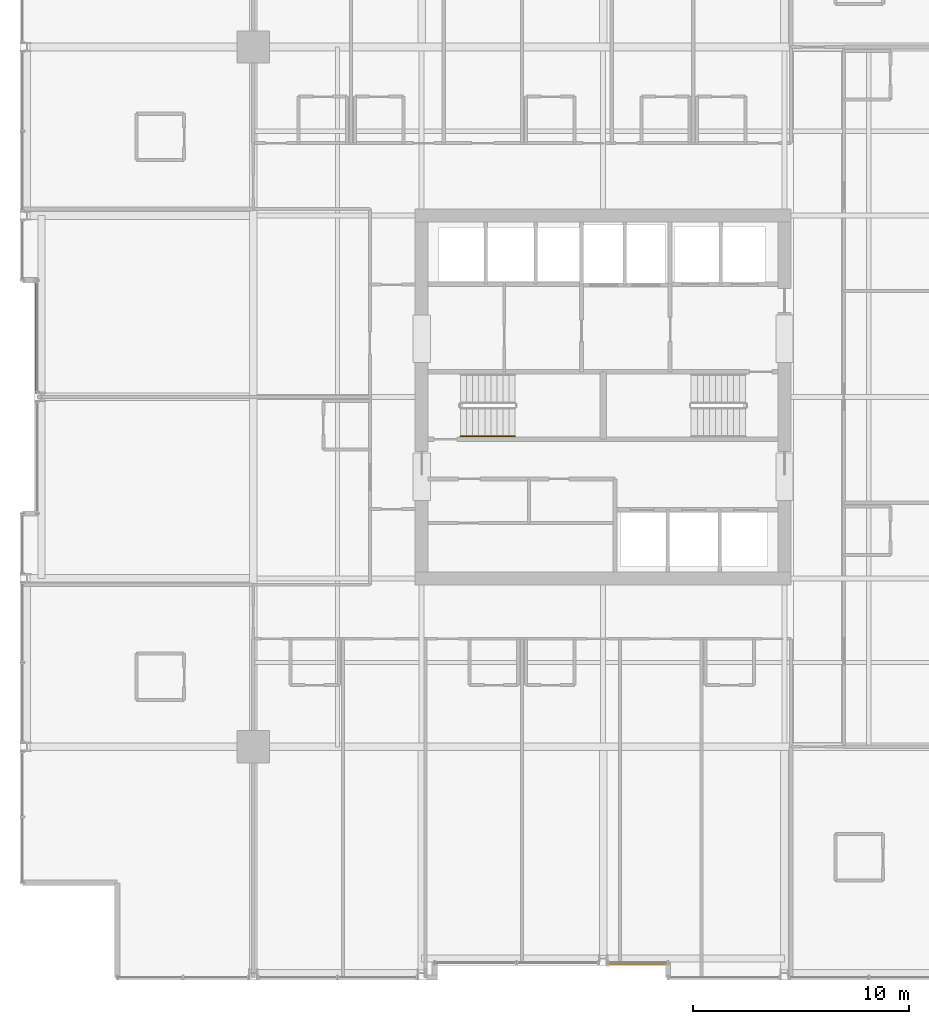
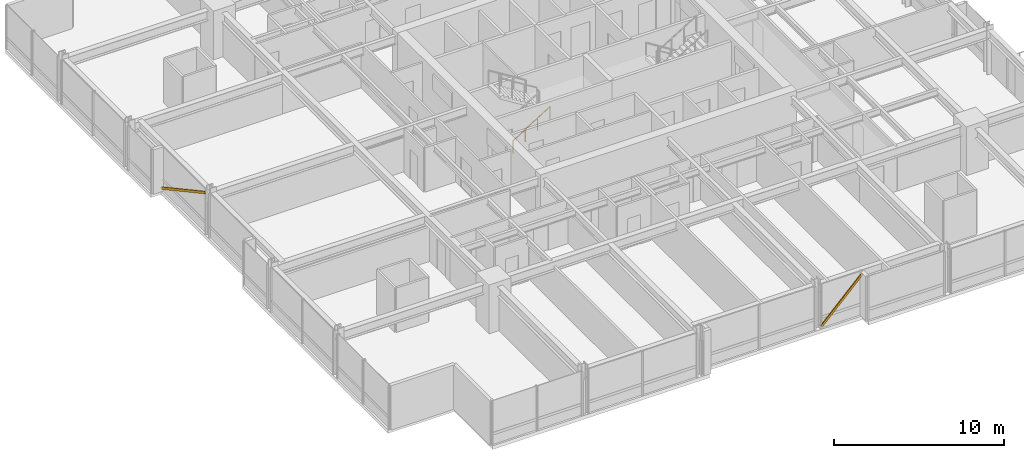
# One storey, part 33 of 35: 2 shading devices, 1 railing.
"""IFC4 building model written with IfcOpenShell, lengths in metres."""

from ifc_helpers import new_model, si_unit, direction, frame, origin, origin_2d, place, context, subcontext, project, spatial, hollow_rectangle, circle, extrude, material, material_profile, profile_set, type_object, element, save


model = new_model("IFC4")

# Units and contexts
model_context = context("Model", 3, precision=1e-05, world=origin(), true_north=direction((0.0, 1.0)))
body_context = subcontext(model_context, "Body", "Model", "MODEL_VIEW")
ifc_project = project(units=[si_unit("LENGTHUNIT", "METRE"), si_unit("AREAUNIT", "SQUARE_METRE"), si_unit("VOLUMEUNIT", "CUBIC_METRE"), si_unit("PLANEANGLEUNIT", "RADIAN"), si_unit("MASSUNIT", "GRAM", prefix="KILO")], contexts=[model_context])

# Site, building, storey
site_placement = place(None, origin())
site = spatial("IfcSite", under=ifc_project, at=site_placement, CompositionType="ELEMENT")
building_placement = place(site_placement, origin())
building = spatial("IfcBuilding", under=site, at=building_placement, Name="Drelvath Grand Hotel", CompositionType="ELEMENT")
storey_placement = place(building_placement, frame((0.0, 0.0, 137.300048828125)))
storey = spatial("IfcBuildingStorey", under=building, at=storey_placement, Name="L35", CompositionType="ELEMENT", Elevation=137.300048828125)

# Railing
ifc_material_1 = material(Name="Painted Steel S275", Category="steel")
railing_type = type_object("IfcRailingType", Name="Core Stair Wall Handrail 900", PredefinedType="HANDRAIL", material=ifc_material_1)
railing_placement = place(storey_placement, frame((-6.60009765625, 25.169921875, 0.175048828125)))
element("IfcRailing", 1, at=railing_placement, inside=storey, type_object=railing_type, Name="L35 ST-1 stair handrail 1", PredefinedType="HANDRAIL", context=body_context, shape_type="SweptSolid", body=[
    extrude(circle(Radius=0.02392578125, at=origin_2d()), frame((0.0, 0.0, 0.8759765625), z_axis=(0.848007534815, 0.0, 0.529984170421), x_axis=(0.0, 1.0, 0.0)), (0.0, 0.0, 1.0), 2.9716796875),
    extrude(circle(Radius=0.02099609375, at=origin_2d()), origin(), (0.0, 0.0, 1.0), 0.851806640625),
    extrude(circle(Radius=0.02099609375, at=origin_2d()), frame((0.840087890625, 0.0, 0.52490234375)), (0.0, 0.0, 1.0), 0.851806640625),
    extrude(circle(Radius=0.02099609375, at=origin_2d()), frame((1.679931640625, 0.0, 1.050048828125)), (0.0, 0.0, 1.0), 0.851806640625),
    extrude(circle(Radius=0.02099609375, at=origin_2d()), frame((2.52001953125, 0.0, 1.574951171875)), (0.0, 0.0, 1.0), 0.851806640625),
])

# Shading devices
ifc_material_2 = material(Name="Champagne Bronze Anodised Aluminium", Category="aluminium")
ifc_material_profile = material_profile(ifc_material_2, hollow_rectangle(XDim=0.06494140625, YDim=0.159912109375, WallThickness=0.00390625, at=origin_2d()), Name="HSS160X65X4")
ifc_profile_set = profile_set([ifc_material_profile], Name="Champagne Bronze Anodised Aluminium")
shading_device_type = type_object("IfcShadingDeviceType", Name="Diagonal Solar Fin Champagne Anodised HSS160X65X4", PredefinedType="USERDEFINED", material=ifc_profile_set)
shading_device_1_placement = place(storey_placement, frame((-26.280029296875, 32.39990234375, 0.179931640625), z_axis=(0.0, -0.878682555514, 0.477406500411), x_axis=(1.0, 0.0, 0.0)))
element("IfcShadingDevice", 2, at=shading_device_1_placement, inside=storey, type_object=shading_device_type, Name="L35 Diagonal Anodised Fin CW03-L35-WM2", ObjectType="FIN", PredefinedType="USERDEFINED", context=body_context, shape_type="SweptSolid", body=[
    extrude(hollow_rectangle(XDim=0.06494140625, YDim=0.159912109375, WallThickness=0.00390625, at=origin_2d()), origin(), (0.0, 0.0, 1.0), 5.906982421875),
])
shading_device_2_placement = place(storey_placement, frame((0.20947265625, 0.719970703125, 0.179931640625), z_axis=(0.703373959475, 0.0, 0.710820000516), x_axis=(0.0, 1.0, 0.0)))
element("IfcShadingDevice", 3, at=shading_device_2_placement, inside=storey, type_object=shading_device_type, Name="L35 Diagonal Anodised Fin CW03-L35-SM2", ObjectType="FIN", PredefinedType="USERDEFINED", context=body_context, shape_type="SweptSolid", body=[
    extrude(hollow_rectangle(XDim=0.06494140625, YDim=0.159912109375, WallThickness=0.00390625, at=origin_2d()), origin(), (0.0, 0.0, 1.0), 3.96728515625),
])

save(model, "model.ifc")
